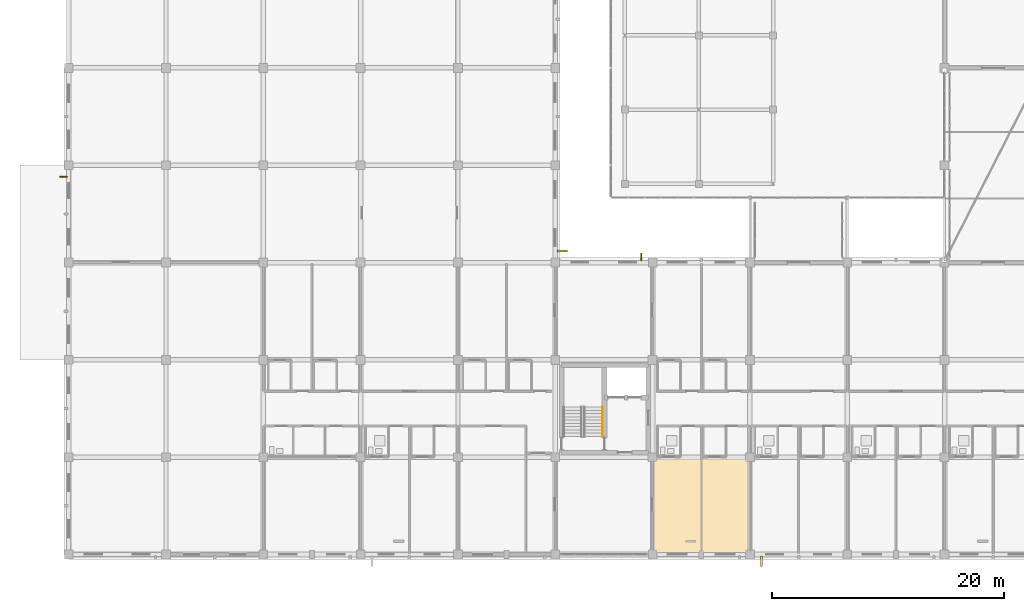
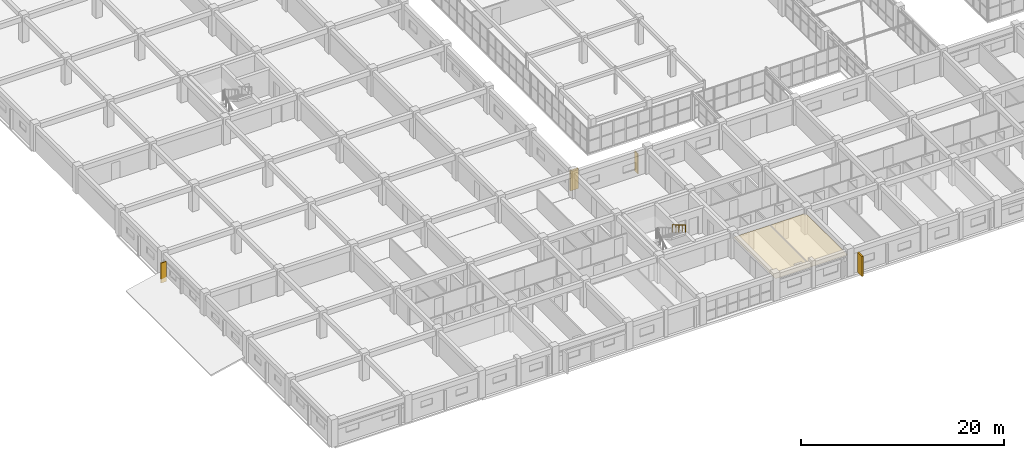
# One storey, part 190 of 200: 4 shading devices, 1 covering, 1 railing.
"""IFC4 building model written with IfcOpenShell, lengths in metres."""

from ifc_helpers import new_model, si_unit, direction, frame, origin, origin_2d, place, context, subcontext, project, spatial, polyline, rectangle, circle, outline, extrude, material, layer, layer_set, type_object, element, save


model = new_model("IFC4")

# Units and contexts
model_context = context("Model", 3, precision=1e-05, world=origin(), true_north=direction((0.0, 1.0)))
body_context = subcontext(model_context, "Body", "Model", "MODEL_VIEW")
ifc_project = project(units=[si_unit("LENGTHUNIT", "METRE"), si_unit("AREAUNIT", "SQUARE_METRE"), si_unit("VOLUMEUNIT", "CUBIC_METRE"), si_unit("PLANEANGLEUNIT", "RADIAN"), si_unit("MASSUNIT", "GRAM", prefix="KILO")], contexts=[model_context])

# Site, building, storey
site_placement = place(None, origin())
site = spatial("IfcSite", under=ifc_project, at=site_placement, CompositionType="ELEMENT")
building_placement = place(site_placement, origin())
building = spatial("IfcBuilding", under=site, at=building_placement, Name="Trelvath General Hospital", CompositionType="ELEMENT")
storey_placement = place(building_placement, frame((0.0, 0.0, 4.800048828125)))
storey = spatial("IfcBuildingStorey", under=building, at=storey_placement, Name="L01", CompositionType="ELEMENT", Elevation=4.800048828125)

# Shading devices
ifc_material_1 = material(Name="Precast concrete C40/50", Category="concrete")
shading_device_type_1 = type_object("IfcShadingDeviceType", Name="BriseSoleil PrecastFin900", PredefinedType="JALOUSIE", material=ifc_material_1)
for number, where, z_axis, x_axis, name in (
    (1, (42.590087890625, 26.182861328125, 0.0), (0.0, 0.0, 1.0), (1.0, 0.0, 0.0), "Solar Brise-Soleil Screen L01-20"),
    (2, (59.78271484375, -0.590087890625, 0.0), (0.0, 0.0, 1.0), (0.0, -1.0, 0.0), "Solar Brise-Soleil Screen L01-23"),
):
    element("IfcShadingDevice", number, at=place(storey_placement, frame(where, z_axis=z_axis, x_axis=x_axis)), inside=storey, type_object=shading_device_type_1, Name=name, PredefinedType="JALOUSIE", context=body_context, shape_type="SweptSolid", body=[
        extrude(rectangle(XDim=0.89990234375, YDim=0.179931640625, at=origin_2d()), origin(), (0.0, 0.0, 1.0), 2.419921875),
    ])

# Covering
ifc_material_2 = material(Name="Hygienic acoustic ceiling tile")
ifc_layer = layer(ifc_material_2, 0.02490234375)
ifc_layer_set = layer_set([ifc_layer], Name="Hygienic acoustic ceiling tile")
covering_type = type_object("IfcCoveringType", Name="Ceiling ClinicalAcoustic", PredefinedType="CEILING", material=ifc_layer_set)
covering_placement = place(storey_placement, frame((0.0, 0.0, 2.280029296875)))
element("IfcCovering", 3, at=covering_placement, inside=storey, type_object=covering_type, Name="Clinical Acoustic Ceiling L01-15", PredefinedType="CEILING", context=body_context, shape_type="SweptSolid", body=[
    extrude(outline(polyline([(50.5, 0.10009765625), (58.699951171875, 0.10009765625), (58.699951171875, 8.320068359375), (50.5, 8.320068359375), (50.5, 0.10009765625)])), origin(), (0.0, 0.0, 1.0), 0.02490234375),
])

# Railing
ifc_material_3 = material(Name="Brushed stainless steel", Category="steel")
railing_type = type_object("IfcRailingType", Name="Handrail Stair900", PredefinedType="HANDRAIL", material=ifc_material_3)
railing_placement = place(storey_placement, frame((46.070068359375, 12.719970703125, 1.81494140625)))
element("IfcRailing", 4, at=railing_placement, inside=storey, type_object=railing_type, Name="Stair Rail ST4 L01 F2 R 130", PredefinedType="HANDRAIL", context=body_context, shape_type="SweptSolid", body=[
    extrude(circle(Radius=0.02392578125, at=origin_2d()), frame((0.0, 0.0, 0.8759765625), z_axis=(0.0, -0.86152411907, 0.507716645641), x_axis=(1.0, 0.0, 0.0)), (0.0, 0.0, 1.0), 2.925048828125),
    extrude(circle(Radius=0.02099609375, at=origin_2d()), origin(), (0.0, 0.0, 1.0), 0.849853515625),
    extrude(circle(Radius=0.02099609375, at=origin_2d()), frame((0.0, -0.6298828125, 0.371337890625)), (0.0, 0.0, 1.0), 0.849853515625),
    extrude(circle(Radius=0.02099609375, at=origin_2d()), frame((0.0, -1.260009765625, 0.74267578125)), (0.0, 0.0, 1.0), 0.849853515625),
    extrude(circle(Radius=0.02099609375, at=origin_2d()), frame((0.0, -1.89013671875, 1.11376953125)), (0.0, 0.0, 1.0), 0.849853515625),
    extrude(circle(Radius=0.02099609375, at=origin_2d()), frame((0.0, -2.52001953125, 1.485107421875)), (0.0, 0.0, 1.0), 0.849853515625),
])

# Shading devices
ifc_material_4 = material(Name="Anodised aluminium", Category="aluminium")
shading_device_type_2 = type_object("IfcShadingDeviceType", Name="SolarScreen PerforatedAlu", PredefinedType="JALOUSIE", material=ifc_material_4)
for number, where, z_axis, x_axis, name in (
    (5, (-0.465087890625, 32.6171875, 0.0), (0.0, 0.0, 1.0), (-1.0, 0.0, 0.0), "Solar Brise-Soleil Screen L01-16"),
    (6, (49.417236328125, 25.6650390625, 0.0), (0.0, 0.0, 1.0), (0.0, 1.0, 0.0), "Solar Brise-Soleil Screen L01-22"),
):
    element("IfcShadingDevice", number, at=place(storey_placement, frame(where, z_axis=z_axis, x_axis=x_axis)), inside=storey, type_object=shading_device_type_2, Name=name, PredefinedType="JALOUSIE", context=body_context, shape_type="SweptSolid", body=[
        extrude(rectangle(XDim=0.64990234375, YDim=0.080078125, at=origin_2d()), origin(), (0.0, 0.0, 1.0), 2.419921875),
    ])

save(model, "model.ifc")
